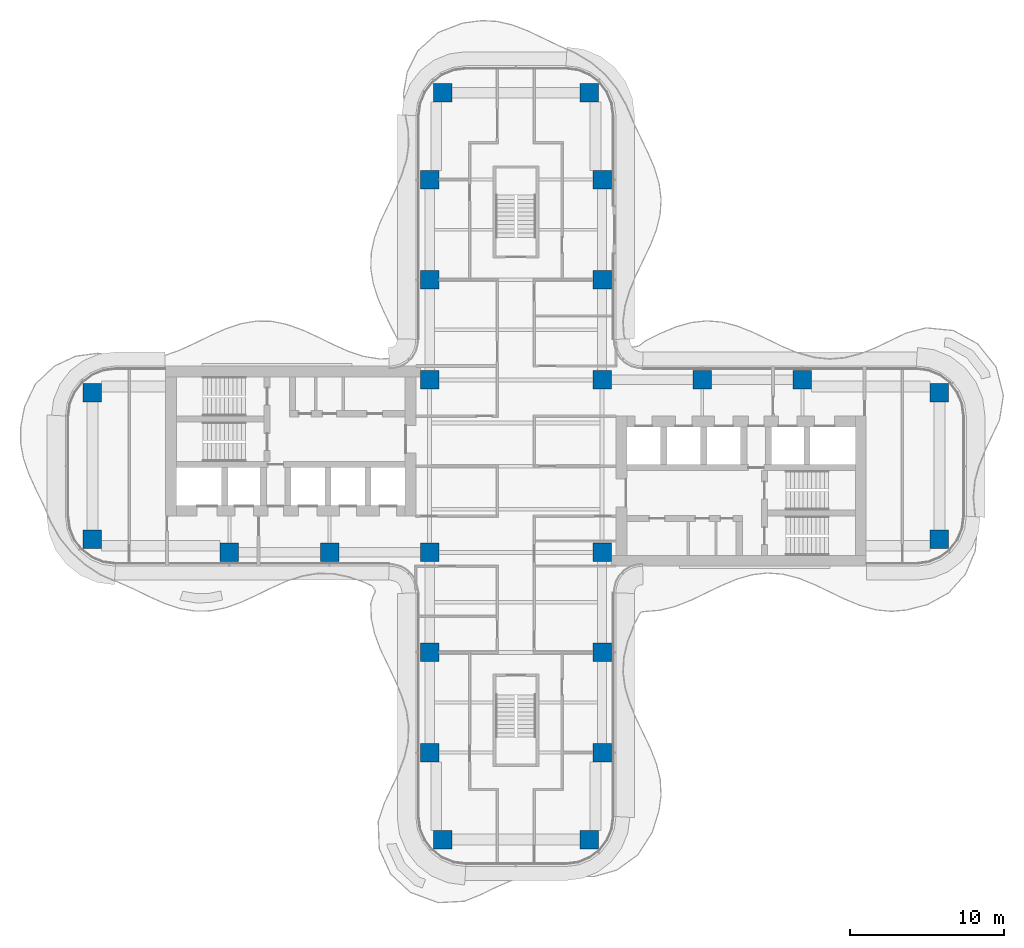
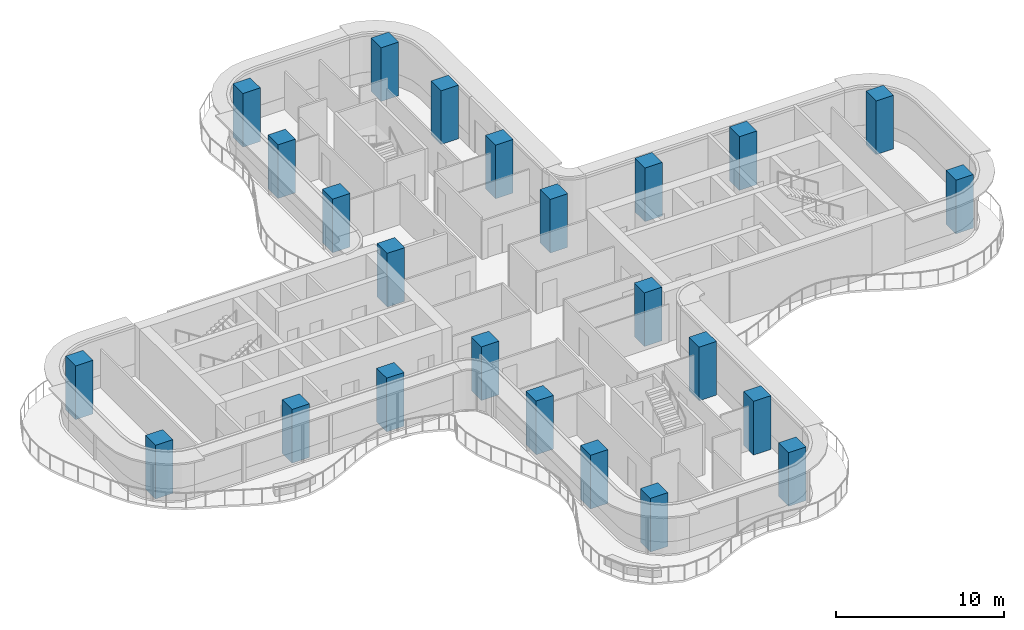
# One storey, part 1 of 17: 24 columns.
"""IFC4 building model written with IfcOpenShell, lengths in metres."""

from ifc_helpers import new_model, si_unit, direction, frame, origin, origin_2d, place, context, subcontext, project, spatial, rectangle, extrude, source, transform, mapped, material, material_profile, profile_set, type_object, element, save


model = new_model("IFC4")

# Units and contexts
model_context = context("Model", 3, precision=1e-05, world=origin(), true_north=direction((0.0, 1.0)))
body_context = subcontext(model_context, "Body", "Model", "MODEL_VIEW")
ifc_project = project(units=[si_unit("LENGTHUNIT", "METRE"), si_unit("AREAUNIT", "SQUARE_METRE"), si_unit("VOLUMEUNIT", "CUBIC_METRE"), si_unit("PLANEANGLEUNIT", "RADIAN"), si_unit("MASSUNIT", "GRAM", prefix="KILO")], contexts=[model_context])

# Site, building, storey
site_placement = place(None, origin())
site = spatial("IfcSite", under=ifc_project, at=site_placement, CompositionType="ELEMENT")
building_placement = place(site_placement, origin())
building = spatial("IfcBuilding", under=site, at=building_placement, Name="Trellis Farm Tower", CompositionType="ELEMENT")
storey_placement = place(building_placement, frame((0.0, 0.0, 173.699951171875)))
storey = spatial("IfcBuildingStorey", under=building, at=storey_placement, Name="L37", CompositionType="ELEMENT", Elevation=173.699951171875)

# Columns
ifc_material = material(Name="Concrete C70/85", Category="concrete")
ifc_material_profile = material_profile(ifc_material, rectangle(XDim=1.199951171875, YDim=1.199951171875, at=origin_2d()), Name="RC column 1200x1200 C70/85")
ifc_profile_set = profile_set([ifc_material_profile], Name="Concrete C70/85")
column_type = type_object("IfcColumnType", Name="RC column 1200x1200 C70/85", PredefinedType="COLUMN", material=ifc_profile_set)
shared_shape = source(origin(), body_context, "Body", "SweptSolid", [
    extrude(rectangle(XDim=1.199951171875, YDim=1.199951171875, at=origin_2d()), origin(), (0.0, 0.0, 1.0), 3.900146484375),
])
for number, where, z_axis, x_axis, name in (
    (1, (12.10009765625, 5.60009765625, 0.0), (0.0, 0.0, 1.0), (1.0, 0.0, 0.0), "Column"),
    (2, (18.60009765625, 5.60009765625, 0.0), (0.0, 0.0, 1.0), (1.0, 0.0, 0.0), "Column"),
    (3, (27.5, 4.75, 0.0), (0.0, 0.0, 1.0), (1.0, 0.0, 0.0), "Column"),
    (4, (27.5, -4.75, 0.0), (0.0, 0.0, 1.0), (1.0, 0.0, 0.0), "Column"),
    (5, (-5.60009765625, 12.10009765625, 0.0), (0.0, 0.0, 1.0), (1.0, 0.0, 0.0), "Column"),
    (6, (-5.60009765625, 18.60009765625, 0.0), (0.0, 0.0, 1.0), (1.0, 0.0, 0.0), "Column"),
    (7, (-4.75, 24.25, 0.0), (0.0, 0.0, 1.0), (1.0, 0.0, 0.0), "Column"),
    (8, (5.60009765625, 12.10009765625, 0.0), (0.0, 0.0, 1.0), (1.0, 0.0, 0.0), "Column"),
    (9, (5.60009765625, 18.60009765625, 0.0), (0.0, 0.0, 1.0), (1.0, 0.0, 0.0), "Column"),
    (10, (4.75, 24.25, 0.0), (0.0, 0.0, 1.0), (1.0, 0.0, 0.0), "Column"),
    (11, (5.60009765625, 5.60009765625, 0.0), (0.0, 0.0, 1.0), (1.0, 0.0, 0.0), "Column"),
    (12, (-5.60009765625, 5.60009765625, 0.0), (0.0, 0.0, 1.0), (1.0, 0.0, 0.0), "Column"),
    (13, (5.60009765625, -5.60009765625, 0.0), (0.0, 0.0, 1.0), (1.0, 0.0, 0.0), "Column"),
    (14, (-5.60009765625, -5.60009765625, 0.0), (0.0, 0.0, 1.0), (1.0, 0.0, 0.0), "Column"),
    (15, (5.60009765625, -12.10009765625, 0.0), (0.0, 0.0, 1.0), (1.0, 0.0, 0.0), "Column"),
    (16, (5.60009765625, -18.60009765625, 0.0), (0.0, 0.0, 1.0), (1.0, 0.0, 0.0), "Column"),
    (17, (4.75, -24.25, 0.0), (0.0, 0.0, 1.0), (1.0, 0.0, 0.0), "Column"),
    (18, (-5.60009765625, -12.10009765625, 0.0), (0.0, 0.0, 1.0), (1.0, 0.0, 0.0), "Column"),
    (19, (-5.60009765625, -18.60009765625, 0.0), (0.0, 0.0, 1.0), (1.0, 0.0, 0.0), "Column"),
    (20, (-4.75, -24.25, 0.0), (0.0, 0.0, 1.0), (1.0, 0.0, 0.0), "Column"),
    (21, (-12.10009765625, -5.60009765625, 0.0), (0.0, 0.0, 1.0), (1.0, 0.0, 0.0), "Column"),
    (22, (-18.60009765625, -5.60009765625, 0.0), (0.0, 0.0, 1.0), (1.0, 0.0, 0.0), "Column"),
    (23, (-27.5, -4.75, 0.0), (0.0, 0.0, 1.0), (1.0, 0.0, 0.0), "Column"),
    (24, (-27.5, 4.75, 0.0), (0.0, 0.0, 1.0), (1.0, 0.0, 0.0), "Column"),
):
    element("IfcColumn", number, at=place(storey_placement, frame(where, z_axis=z_axis, x_axis=x_axis)), inside=storey, type_object=column_type, Name=name, PredefinedType="COLUMN", context=body_context, shape_type="MappedRepresentation", body=[
        mapped(shared_shape, transform((0.0, 0.0, 0.0))),
    ])

save(model, "model.ifc")
